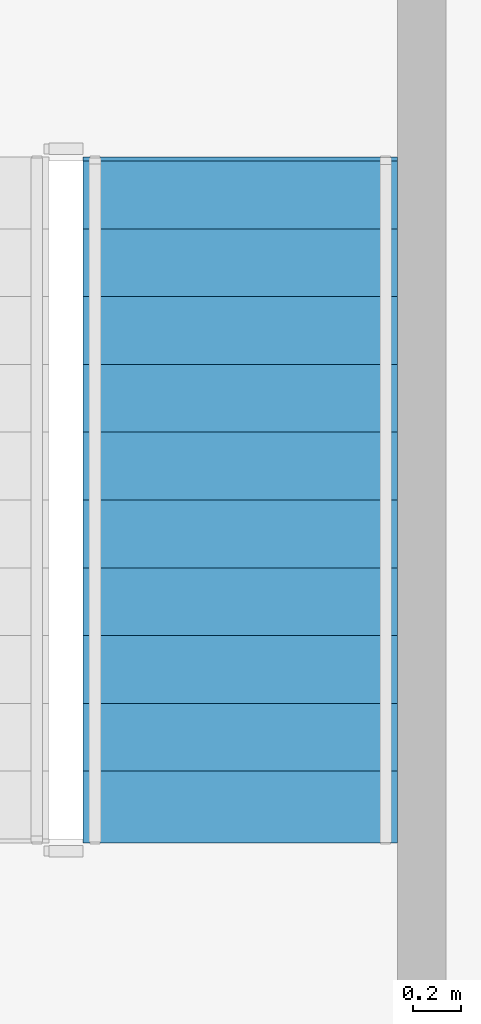
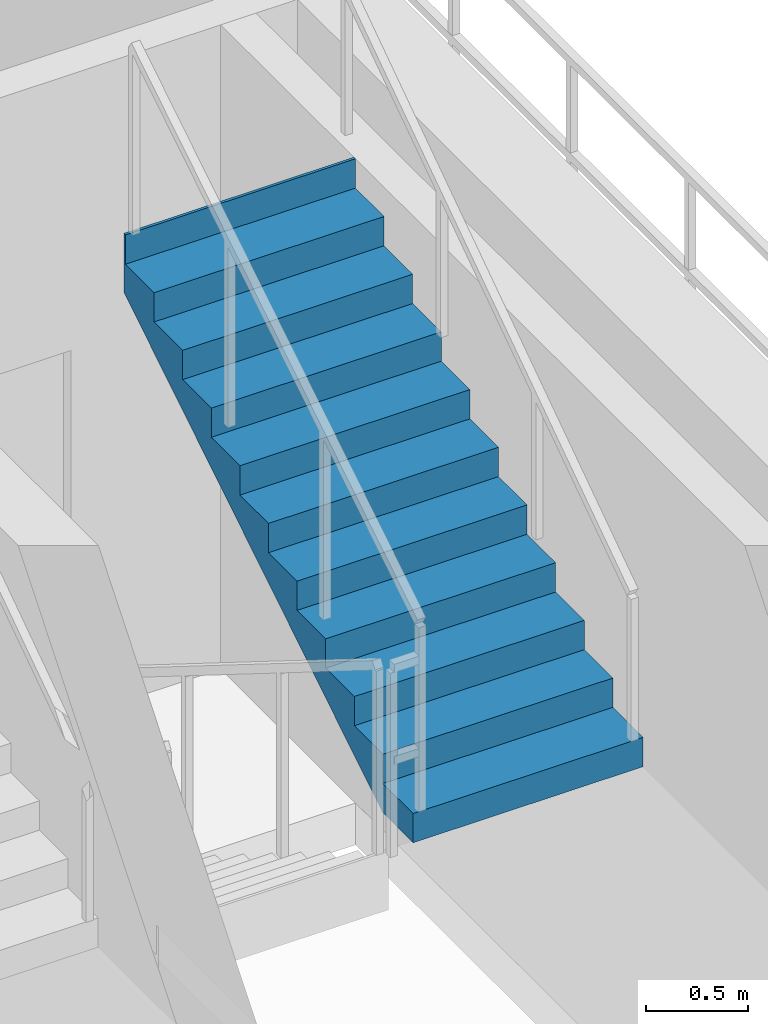
# One storey, part 6 of 8: 1 stair flight, 1 element without a shape of its own.
"""IFC4 building model written with IfcOpenShell, lengths in metres."""

from ifc_helpers import new_model, si_unit, derived_unit, direction, frame, origin, place, context, subcontext, project, spatial, polyline, outline, extrude, source, transform, mapped, material, layer, layer_set, type_object, element, aggregate, save


model = new_model("IFC4")

# Units and contexts
model_context = context("Model", 3, precision=1e-05, world=origin(), true_north=direction((0.0, 1.0)))
body_context = subcontext(model_context, "Body", "Model", "MODEL_VIEW")
ifc_project = project(units=[si_unit("LENGTHUNIT", "METRE"), si_unit("AREAUNIT", "SQUARE_METRE"), si_unit("VOLUMEUNIT", "CUBIC_METRE"), si_unit("PLANEANGLEUNIT", "RADIAN"), si_unit("MASSUNIT", "GRAM", prefix="KILO"), si_unit("THERMODYNAMICTEMPERATUREUNIT", "KELVIN"), si_unit("POWERUNIT", "WATT"), derived_unit("THERMALTRANSMITTANCEUNIT", [(si_unit("POWERUNIT", "WATT"), 1), (si_unit("AREAUNIT", "SQUARE_METRE"), -1), (si_unit("THERMODYNAMICTEMPERATUREUNIT", "KELVIN"), -1)])], contexts=[model_context])

# Site, building, storey
site_placement = place(None, origin())
site = spatial("IfcSite", under=ifc_project, at=site_placement, CompositionType="ELEMENT")
building_placement = place(site_placement, origin())
building = spatial("IfcBuilding", under=site, at=building_placement, Name="Zahravan Archway Hotel and Residences", CompositionType="ELEMENT")
storey_placement = place(building_placement, frame((0.0, 0.0, 248.10009765625)))
storey = spatial("IfcBuildingStorey", under=building, at=storey_placement, Name="L62", CompositionType="ELEMENT", Elevation=248.10009765625)

# Stair, stair flight
ifc_material = material(Name="Concrete C50/60", Category="concrete")
stair_type = type_object("IfcStairType", Name="STR-CORE-1300", PredefinedType="HALF_TURN_STAIR", material=ifc_material)
stair_placement = place(storey_placement, origin())
stair = element("IfcStair", 1, at=stair_placement, inside=storey, type_object=stair_type, Name="L62 Core A Exit Stair 3", PredefinedType="HALF_TURN_STAIR")
ifc_layer = layer(ifc_material, 0.199951171875, Name="Concrete C50/60", Category="concrete")
ifc_layer_set = layer_set([ifc_layer], Name="Concrete C50/60")
stair_flight_type = type_object("IfcStairFlightType", Name="SFL-CORE-1300", PredefinedType="STRAIGHT", material=ifc_layer_set)
shared_shape = source(origin(), body_context, "Body", "SweptSolid", [
    extrude(outline(polyline([(-0.01611328125, 0.0), (-0.01611328125, 0.175048828125), (0.280029296875, 0.175048828125), (0.280029296875, 0.35009765625), (0.56005859375, 0.35009765625), (0.56005859375, 0.52490234375), (0.840087890625, 0.52490234375), (0.840087890625, 0.699951171875), (1.1201171875, 0.699951171875), (1.1201171875, 0.875), (1.39990234375, 0.875), (1.39990234375, 1.050048828125), (1.679931640625, 1.050048828125), (1.679931640625, 1.22509765625), (1.9599609375, 1.22509765625), (1.9599609375, 1.39990234375), (2.239990234375, 1.39990234375), (2.239990234375, 1.574951171875), (2.52001953125, 1.574951171875), (2.52001953125, 1.75), (2.800048828125, 1.75), (2.800048828125, 1.925048828125), (2.816162109375, 1.925048828125), (2.816162109375, 1.5732421875), (0.28271484375, 0.0), (-0.01611328125, 0.0)])), frame((0.0, 0.64990234375, 0.0), z_axis=(0.0, -1.0, 0.0), x_axis=(1.0, 0.0, 0.0)), (0.0, 0.0, 1.0), 1.300048828125),
])
stair_flight_placement = place(storey_placement, frame((48.489990234375, 6.929931640625, 1.9248046875), z_axis=(0.0, 0.0, 1.0), x_axis=(0.0, 1.0, 0.0)))
stair_flight = element("IfcStairFlight", 2, at=stair_flight_placement, type_object=stair_flight_type, Name="ST-A3 flight 2", NumberOfRisers=11, NumberOfTreads=10, PredefinedType="STRAIGHT", RiserHeight=0.175, TreadLength=0.28, context=body_context, shape_type="MappedRepresentation", body=[
    mapped(shared_shape, transform((0.0, 0.0, 0.0), scale=1.0)),
])
aggregate(stair, [stair_flight])

save(model, "model.ifc")
